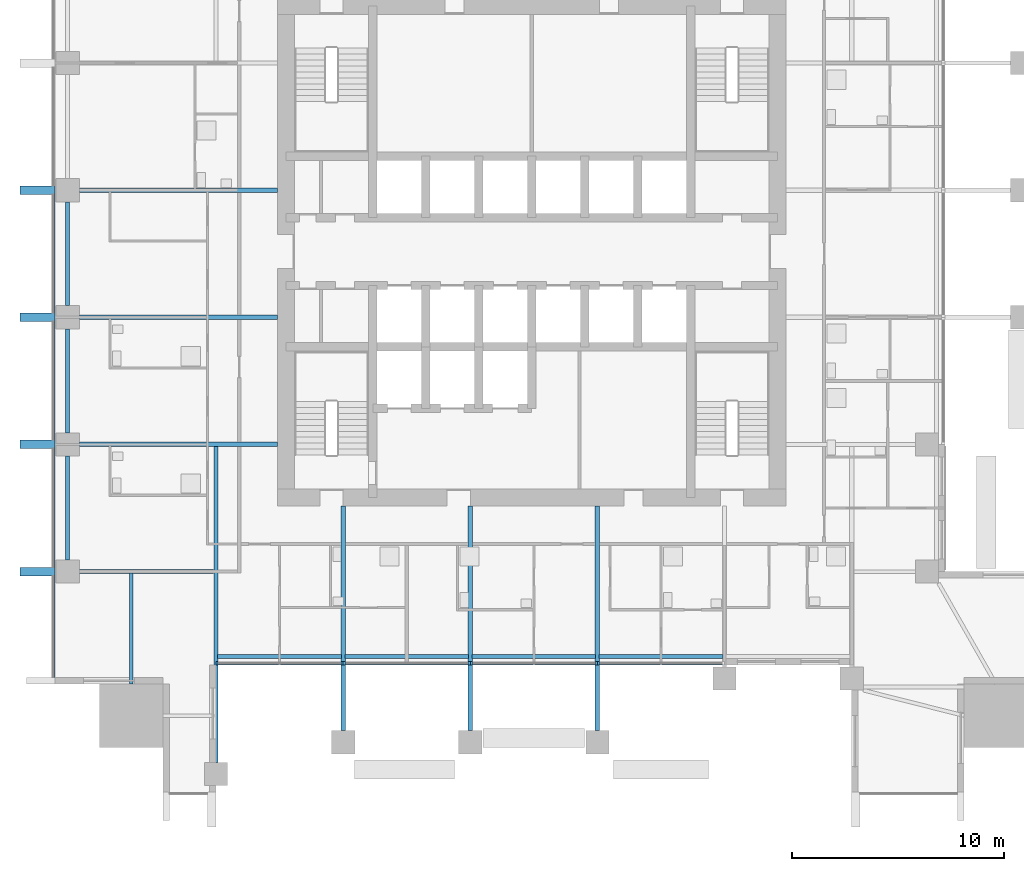
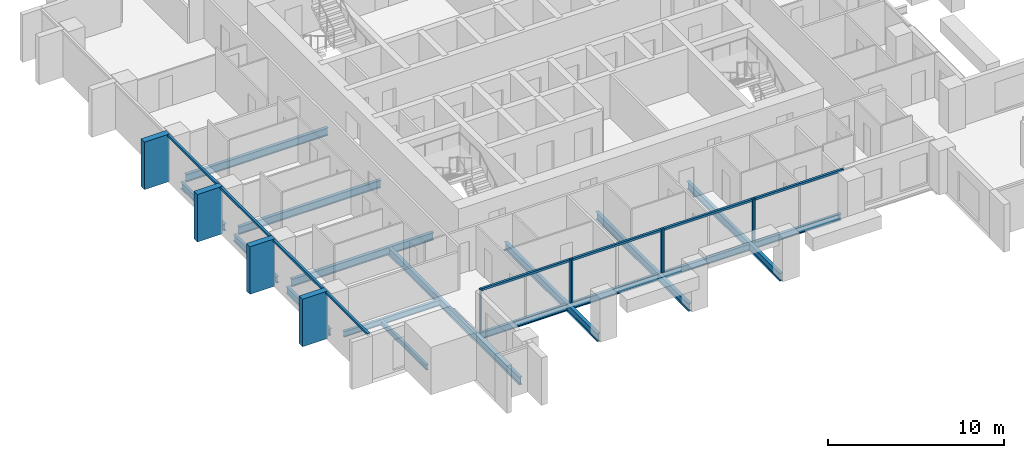
# One storey, part 2 of 13: 19 members, 16 beams, 5 elements without a shape of their own.
"""IFC4 building model written with IfcOpenShell, lengths in metres."""

from ifc_helpers import new_model, si_unit, direction, frame, origin, origin_2d, place, context, subcontext, project, spatial, rectangle, i_section, extrude, material, material_profile, profile_set, type_object, element, aggregate, save


model = new_model("IFC4")

# Units and contexts
model_context = context("Model", 3, precision=1e-05, world=origin(), true_north=direction((0.0, 1.0)))
body_context = subcontext(model_context, "Body", "Model", "MODEL_VIEW")
ifc_project = project(units=[si_unit("LENGTHUNIT", "METRE"), si_unit("AREAUNIT", "SQUARE_METRE"), si_unit("VOLUMEUNIT", "CUBIC_METRE"), si_unit("PLANEANGLEUNIT", "RADIAN"), si_unit("MASSUNIT", "GRAM", prefix="KILO")], contexts=[model_context])

# Site, building, storey
site_placement = place(None, origin())
site = spatial("IfcSite", under=ifc_project, at=site_placement, CompositionType="ELEMENT")
building_placement = place(site_placement, origin())
building = spatial("IfcBuilding", under=site, at=building_placement, Name="Amberfall Residences", CompositionType="ELEMENT")
storey_placement = place(building_placement, frame((0.0, 0.0, 111.699951171875)))
storey = spatial("IfcBuildingStorey", under=building, at=storey_placement, Name="L30", CompositionType="ELEMENT", Elevation=111.699951171875)

# Curtain wall, members
ifc_material_1 = material(Name="Bronze anodised aluminium and glass", Category="aluminium")
curtain_wall_type_1 = type_object("IfcCurtainWallType", Name="Curtain wall CW1 tower unit", PredefinedType="USERDEFINED", material=ifc_material_1)
curtain_wall_1_placement = place(storey_placement, origin())
curtain_wall_1 = element("IfcCurtainWall", 1, at=curtain_wall_1_placement, inside=storey, type_object=curtain_wall_type_1, Name="Curtain wall L30 W W1", ObjectType="UNITISED CURTAIN WALL", PredefinedType="USERDEFINED")
ifc_material_2 = material(Name="Bronze anodised aluminium", Category="aluminium")
ifc_material_profile_1 = material_profile(ifc_material_2, rectangle(XDim=0.14990234375, YDim=0.14990234375, at=origin_2d()), Name="CW1 transom 150 x 150 bronze")
ifc_profile_set_1 = profile_set([ifc_material_profile_1], Name="Bronze anodised aluminium")
member_type_1 = type_object("IfcMemberType", Name="CW1 transom 150 x 150 bronze", PredefinedType="USERDEFINED", material=ifc_profile_set_1)
member_1_placement = place(storey_placement, frame((51.925048828125, 48.199951171875, 2.97509765625), z_axis=(0.0, -1.0, 0.0), x_axis=(1.0, 0.0, 0.0)))
member_1 = element("IfcMember", 2, at=member_1_placement, type_object=member_type_1, Name="CW1 transom 4.1", ObjectType="TRANSOM", PredefinedType="USERDEFINED", context=body_context, shape_type="SweptSolid", body=[
    extrude(rectangle(XDim=0.14990234375, YDim=0.14990234375, at=origin_2d()), origin(), (0.0, 0.0, 1.0), 5.599853515625),
])
member_2_placement = place(storey_placement, frame((51.925048828125, 42.199951171875, 2.97509765625), z_axis=(0.0, -1.0, 0.0), x_axis=(1.0, 0.0, 0.0)))
member_2 = element("IfcMember", 3, at=member_2_placement, type_object=member_type_1, Name="CW1 transom 5.1", ObjectType="TRANSOM", PredefinedType="USERDEFINED", context=body_context, shape_type="SweptSolid", body=[
    extrude(rectangle(XDim=0.14990234375, YDim=0.14990234375, at=origin_2d()), origin(), (0.0, 0.0, 1.0), 5.599853515625),
])
member_3_placement = place(storey_placement, frame((51.925048828125, 36.199951171875, 2.97509765625), z_axis=(0.0, -1.0, 0.0), x_axis=(1.0, 0.0, 0.0)))
member_3 = element("IfcMember", 4, at=member_3_placement, type_object=member_type_1, Name="CW1 transom 6.1", ObjectType="TRANSOM", PredefinedType="USERDEFINED", context=body_context, shape_type="SweptSolid", body=[
    extrude(rectangle(XDim=0.14990234375, YDim=0.14990234375, at=origin_2d()), origin(), (0.0, 0.0, 1.0), 5.599853515625),
])
member_4_placement = place(storey_placement, frame((51.925048828125, 30.199951171875, 2.97509765625), z_axis=(0.0, -1.0, 0.0), x_axis=(1.0, 0.0, 0.0)))
member_4 = element("IfcMember", 5, at=member_4_placement, type_object=member_type_1, Name="CW1 transom 7.1", ObjectType="TRANSOM", PredefinedType="USERDEFINED", context=body_context, shape_type="SweptSolid", body=[
    extrude(rectangle(XDim=0.14990234375, YDim=0.14990234375, at=origin_2d()), origin(), (0.0, 0.0, 1.0), 4.800048828125),
])

curtain_wall_type_2 = type_object("IfcCurtainWallType", Name="Curtain wall CW3 sky garden glazing", PredefinedType="USERDEFINED", material=ifc_material_1)
curtain_wall_2_placement = place(storey_placement, origin())
curtain_wall_2 = element("IfcCurtainWall", 6, at=curtain_wall_2_placement, inside=storey, type_object=curtain_wall_type_2, Name="Curtain wall L30 S S3", ObjectType="UNITISED CURTAIN WALL", PredefinedType="USERDEFINED")
ifc_material_profile_2 = material_profile(ifc_material_2, rectangle(XDim=0.14990234375, YDim=0.10009765625, at=origin_2d()), Name="CW3 mullion 100 x 150 bronze")
ifc_profile_set_2 = profile_set([ifc_material_profile_2], Name="Bronze anodised aluminium")
member_type_2 = type_object("IfcMemberType", Name="CW3 mullion 100 x 150 bronze", PredefinedType="MULLION", material=ifc_profile_set_2)
member_5_placement = place(storey_placement, frame((59.64990234375, 26.074951171875, 0.0), z_axis=(0.0, 0.0, 1.0), x_axis=(0.0, 1.0, 0.0)))
member_5 = element("IfcMember", 7, at=member_5_placement, type_object=member_type_2, Name="CW3 mullion 1", PredefinedType="MULLION", context=body_context, shape_type="SweptSolid", body=[
    extrude(rectangle(XDim=0.14990234375, YDim=0.10009765625, at=origin_2d()), origin(), (0.0, 0.0, 1.0), 3.050048828125),
])
member_6_placement = place(storey_placement, frame((65.550048828125, 26.074951171875, 0.0), z_axis=(0.0, 0.0, 1.0), x_axis=(0.0, 1.0, 0.0)))
member_6 = element("IfcMember", 8, at=member_6_placement, type_object=member_type_2, Name="CW3 mullion 2", PredefinedType="MULLION", context=body_context, shape_type="SweptSolid", body=[
    extrude(rectangle(XDim=0.14990234375, YDim=0.10009765625, at=origin_2d()), origin(), (0.0, 0.0, 1.0), 3.050048828125),
])

curtain_wall_3_placement = place(storey_placement, origin())
curtain_wall_3 = element("IfcCurtainWall", 9, at=curtain_wall_3_placement, inside=storey, type_object=curtain_wall_type_2, Name="Curtain wall L30 S S4", ObjectType="UNITISED CURTAIN WALL", PredefinedType="USERDEFINED")
member_7_placement = place(storey_placement, frame((65.64990234375, 26.074951171875, 0.0), z_axis=(0.0, 0.0, 1.0), x_axis=(0.0, 1.0, 0.0)))
member_7 = element("IfcMember", 10, at=member_7_placement, type_object=member_type_2, Name="CW3 mullion 1", PredefinedType="MULLION", context=body_context, shape_type="SweptSolid", body=[
    extrude(rectangle(XDim=0.14990234375, YDim=0.10009765625, at=origin_2d()), origin(), (0.0, 0.0, 1.0), 3.050048828125),
])
member_8_placement = place(storey_placement, frame((71.550048828125, 26.074951171875, 0.0), z_axis=(0.0, 0.0, 1.0), x_axis=(0.0, 1.0, 0.0)))
member_8 = element("IfcMember", 11, at=member_8_placement, type_object=member_type_2, Name="CW3 mullion 2", PredefinedType="MULLION", context=body_context, shape_type="SweptSolid", body=[
    extrude(rectangle(XDim=0.14990234375, YDim=0.10009765625, at=origin_2d()), origin(), (0.0, 0.0, 1.0), 3.050048828125),
])

curtain_wall_4_placement = place(storey_placement, origin())
curtain_wall_4 = element("IfcCurtainWall", 12, at=curtain_wall_4_placement, inside=storey, type_object=curtain_wall_type_2, Name="Curtain wall L30 S S5", ObjectType="UNITISED CURTAIN WALL", PredefinedType="USERDEFINED")
member_9_placement = place(storey_placement, frame((71.64990234375, 26.074951171875, 0.0), z_axis=(0.0, 0.0, 1.0), x_axis=(0.0, 1.0, 0.0)))
member_9 = element("IfcMember", 13, at=member_9_placement, type_object=member_type_2, Name="CW3 mullion 1", PredefinedType="MULLION", context=body_context, shape_type="SweptSolid", body=[
    extrude(rectangle(XDim=0.14990234375, YDim=0.10009765625, at=origin_2d()), origin(), (0.0, 0.0, 1.0), 3.050048828125),
])
member_10_placement = place(storey_placement, frame((77.550048828125, 26.074951171875, 0.0), z_axis=(0.0, 0.0, 1.0), x_axis=(0.0, 1.0, 0.0)))
member_10 = element("IfcMember", 14, at=member_10_placement, type_object=member_type_2, Name="CW3 mullion 2", PredefinedType="MULLION", context=body_context, shape_type="SweptSolid", body=[
    extrude(rectangle(XDim=0.14990234375, YDim=0.10009765625, at=origin_2d()), origin(), (0.0, 0.0, 1.0), 3.050048828125),
])

# Curtain wall, member
curtain_wall_5_placement = place(storey_placement, origin())
curtain_wall_5 = element("IfcCurtainWall", 15, at=curtain_wall_5_placement, inside=storey, type_object=curtain_wall_type_2, Name="Curtain wall L30 S S6", ObjectType="UNITISED CURTAIN WALL", PredefinedType="USERDEFINED")
member_11_placement = place(storey_placement, frame((77.64990234375, 26.074951171875, 0.0), z_axis=(0.0, 0.0, 1.0), x_axis=(0.0, 1.0, 0.0)))
member_11 = element("IfcMember", 16, at=member_11_placement, type_object=member_type_2, Name="CW3 mullion 1", PredefinedType="MULLION", context=body_context, shape_type="SweptSolid", body=[
    extrude(rectangle(XDim=0.14990234375, YDim=0.10009765625, at=origin_2d()), origin(), (0.0, 0.0, 1.0), 3.050048828125),
])

# Member
ifc_material_profile_3 = material_profile(ifc_material_2, rectangle(XDim=0.14990234375, YDim=0.14990234375, at=origin_2d()), Name="CW3 transom 150 x 150 bronze")
ifc_profile_set_3 = profile_set([ifc_material_profile_3], Name="Bronze anodised aluminium")
member_type_3 = type_object("IfcMemberType", Name="CW3 transom 150 x 150 bronze", PredefinedType="USERDEFINED", material=ifc_profile_set_3)
member_12_placement = place(storey_placement, frame((59.699951171875, 26.074951171875, 2.97509765625), z_axis=(1.0, 0.0, 0.0), x_axis=(0.0, 1.0, 0.0)))
member_12 = element("IfcMember", 17, at=member_12_placement, type_object=member_type_3, Name="CW3 transom 1.1", ObjectType="TRANSOM", PredefinedType="USERDEFINED", context=body_context, shape_type="SweptSolid", body=[
    extrude(rectangle(XDim=0.14990234375, YDim=0.14990234375, at=origin_2d()), origin(), (0.0, 0.0, 1.0), 5.800048828125),
])

aggregate(curtain_wall_2, [member_5, member_6, member_12])

member_13_placement = place(storey_placement, frame((65.699951171875, 26.074951171875, 2.97509765625), z_axis=(1.0, 0.0, 0.0), x_axis=(0.0, 1.0, 0.0)))
member_13 = element("IfcMember", 18, at=member_13_placement, type_object=member_type_3, Name="CW3 transom 1.1", ObjectType="TRANSOM", PredefinedType="USERDEFINED", context=body_context, shape_type="SweptSolid", body=[
    extrude(rectangle(XDim=0.14990234375, YDim=0.14990234375, at=origin_2d()), origin(), (0.0, 0.0, 1.0), 5.800048828125),
])

aggregate(curtain_wall_3, [member_7, member_8, member_13])

member_14_placement = place(storey_placement, frame((71.699951171875, 26.074951171875, 2.97509765625), z_axis=(1.0, 0.0, 0.0), x_axis=(0.0, 1.0, 0.0)))
member_14 = element("IfcMember", 19, at=member_14_placement, type_object=member_type_3, Name="CW3 transom 1.1", ObjectType="TRANSOM", PredefinedType="USERDEFINED", context=body_context, shape_type="SweptSolid", body=[
    extrude(rectangle(XDim=0.14990234375, YDim=0.14990234375, at=origin_2d()), origin(), (0.0, 0.0, 1.0), 5.800048828125),
])

aggregate(curtain_wall_4, [member_9, member_10, member_14])

member_15_placement = place(storey_placement, frame((77.699951171875, 26.074951171875, 2.97509765625), z_axis=(1.0, 0.0, 0.0), x_axis=(0.0, 1.0, 0.0)))
member_15 = element("IfcMember", 20, at=member_15_placement, type_object=member_type_3, Name="CW3 transom 1.1", ObjectType="TRANSOM", PredefinedType="USERDEFINED", context=body_context, shape_type="SweptSolid", body=[
    extrude(rectangle(XDim=0.14990234375, YDim=0.14990234375, at=origin_2d()), origin(), (0.0, 0.0, 1.0), 5.800048828125),
])

aggregate(curtain_wall_5, [member_11, member_15])

# Beams
ifc_material_3 = material(Name="Steel S355", Category="steel")
ifc_material_profile_4 = material_profile(ifc_material_3, i_section(OverallWidth=0.18994140625, OverallDepth=0.453369140625, WebThickness=0.008544921875, FlangeThickness=0.0126953125, FilletRadius=0.01025390625, at=origin_2d()), Name="UB 457x191x67")
ifc_profile_set_4 = profile_set([ifc_material_profile_4], Name="Steel S355")
beam_type_1 = type_object("IfcBeamType", Name="Edge beam UB 457x191x67", PredefinedType="SPANDREL", material=ifc_profile_set_4)
for number, where, z_axis, x_axis, name in (
    (21, (59.679931640625, 26.39990234375, -0.4765625), (1.0, 0.0, 0.0), (0.0, 1.0, 0.0), "Edge beam B1 L30 01"),
    (22, (65.679931640625, 26.39990234375, -0.4765625), (1.0, 0.0, 0.0), (0.0, 1.0, 0.0), "Edge beam B1 L30 02"),
    (23, (71.679931640625, 26.39990234375, -0.4765625), (1.0, 0.0, 0.0), (0.0, 1.0, 0.0), "Edge beam B1 L30 03"),
    (24, (77.679931640625, 26.39990234375, -0.4765625), (1.0, 0.0, 0.0), (0.0, 1.0, 0.0), "Edge beam B1 L30 04"),
):
    element("IfcBeam", number, at=place(storey_placement, frame(where, z_axis=z_axis, x_axis=x_axis)), inside=storey, type_object=beam_type_1, Name=name, PredefinedType="SPANDREL", context=body_context, shape_type="SweptSolid", body=[
        extrude(i_section(OverallWidth=0.18994140625, OverallDepth=0.453369140625, WebThickness=0.008544921875, FlangeThickness=0.0126953125, FilletRadius=0.01025390625, at=origin_2d()), origin(), (0.0, 0.0, 1.0), 5.840087890625),
    ])
for number, where, z_axis, x_axis, name in (
    (25, (52.60009765625, 30.949951171875, -0.4765625), (0.0, 1.0, 0.0), (-1.0, 0.0, 0.0), "Edge beam B1 L30 34"),
    (26, (52.60009765625, 36.949951171875, -0.4765625), (0.0, 1.0, 0.0), (-1.0, 0.0, 0.0), "Edge beam B1 L30 35"),
    (27, (52.60009765625, 42.949951171875, -0.4765625), (0.0, 1.0, 0.0), (-1.0, 0.0, 0.0), "Edge beam B1 L30 36"),
):
    element("IfcBeam", number, at=place(storey_placement, frame(where, z_axis=z_axis, x_axis=x_axis)), inside=storey, type_object=beam_type_1, Name=name, PredefinedType="SPANDREL", context=body_context, shape_type="SweptSolid", body=[
        extrude(i_section(OverallWidth=0.18994140625, OverallDepth=0.453369140625, WebThickness=0.008544921875, FlangeThickness=0.0126953125, FilletRadius=0.01025390625, at=origin_2d()), origin(), (0.0, 0.0, 1.0), 4.900146484375),
    ])

# Member
ifc_material_profile_5 = material_profile(ifc_material_2, rectangle(XDim=1.64990234375, YDim=0.39990234375, at=origin_2d()), Name="Fin 400 x 1650 bronze")
ifc_profile_set_5 = profile_set([ifc_material_profile_5], Name="Bronze anodised aluminium")
member_type_4 = type_object("IfcMemberType", Name="Fin 400 x 1650 bronze", PredefinedType="MULLION", material=ifc_profile_set_5)
member_16_placement = place(storey_placement, frame((51.175048828125, 48.39990234375, -0.25), z_axis=(0.0, 0.0, 1.0), x_axis=(1.0, 0.0, 0.0)))
member_16 = element("IfcMember", 28, at=member_16_placement, type_object=member_type_4, Name="CW FIN 4", PredefinedType="MULLION", context=body_context, shape_type="SweptSolid", body=[
    extrude(rectangle(XDim=1.64990234375, YDim=0.39990234375, at=origin_2d()), origin(), (0.0, 0.0, 1.0), 3.300048828125),
])

member_17_placement = place(storey_placement, frame((51.175048828125, 42.39990234375, -0.25), z_axis=(0.0, 0.0, 1.0), x_axis=(1.0, 0.0, 0.0)))
member_17 = element("IfcMember", 29, at=member_17_placement, type_object=member_type_4, Name="CW FIN 5", PredefinedType="MULLION", context=body_context, shape_type="SweptSolid", body=[
    extrude(rectangle(XDim=1.64990234375, YDim=0.39990234375, at=origin_2d()), origin(), (0.0, 0.0, 1.0), 3.300048828125),
])

member_18_placement = place(storey_placement, frame((51.175048828125, 36.39990234375, -0.25), z_axis=(0.0, 0.0, 1.0), x_axis=(1.0, 0.0, 0.0)))
member_18 = element("IfcMember", 30, at=member_18_placement, type_object=member_type_4, Name="CW FIN 6", PredefinedType="MULLION", context=body_context, shape_type="SweptSolid", body=[
    extrude(rectangle(XDim=1.64990234375, YDim=0.39990234375, at=origin_2d()), origin(), (0.0, 0.0, 1.0), 3.300048828125),
])

member_19_placement = place(storey_placement, frame((51.175048828125, 30.39990234375, -0.25), z_axis=(0.0, 0.0, 1.0), x_axis=(1.0, 0.0, 0.0)))
member_19 = element("IfcMember", 31, at=member_19_placement, type_object=member_type_4, Name="CW FIN 7", PredefinedType="MULLION", context=body_context, shape_type="SweptSolid", body=[
    extrude(rectangle(XDim=1.64990234375, YDim=0.39990234375, at=origin_2d()), origin(), (0.0, 0.0, 1.0), 3.300048828125),
])

aggregate(curtain_wall_1, [member_16, member_17, member_18, member_19, member_1, member_2, member_3, member_4])

# Beams
ifc_material_profile_6 = material_profile(ifc_material_3, i_section(OverallWidth=0.177734375, OverallDepth=0.402587890625, WebThickness=0.0078125, FlangeThickness=0.010986328125, FilletRadius=0.01025390625, at=origin_2d()), Name="UB 406x178x54")
ifc_profile_set_6 = profile_set([ifc_material_profile_6], Name="Steel S355")
beam_type_2 = type_object("IfcBeamType", Name="Floor girder UB 406x178x54", PredefinedType="BEAM", material=ifc_profile_set_6)
beam_1_placement = place(storey_placement, frame((53.14990234375, 30.39990234375, -0.451171875), z_axis=(1.0, 0.0, 0.0), x_axis=(0.0, 1.0, 0.0)))
element("IfcBeam", 32, at=beam_1_placement, inside=storey, type_object=beam_type_2, Name="Floor girder B4 L30 39", PredefinedType="BEAM", context=body_context, shape_type="SweptSolid", body=[
    extrude(i_section(OverallWidth=0.177734375, OverallDepth=0.402587890625, WebThickness=0.0078125, FlangeThickness=0.010986328125, FilletRadius=0.01025390625, at=origin_2d()), origin(), (0.0, 0.0, 1.0), 6.330078125),
])
ifc_material_profile_7 = material_profile(ifc_material_3, i_section(OverallWidth=0.210693359375, OverallDepth=0.53955078125, WebThickness=0.01171875, FlangeThickness=0.018798828125, FilletRadius=0.0126953125, at=origin_2d()), Name="UB 533x210x109")
ifc_profile_set_7 = profile_set([ifc_material_profile_7], Name="Steel S355")
beam_type_3 = type_object("IfcBeamType", Name="Floor girder UB 533x210x109", PredefinedType="BEAM", material=ifc_profile_set_7)
beam_2_placement = place(storey_placement, frame((59.60009765625, 21.39990234375, -0.519775390625), z_axis=(0.0, 1.0, 0.0), x_axis=(-1.0, 0.0, 0.0)))
element("IfcBeam", 33, at=beam_2_placement, inside=storey, type_object=beam_type_3, Name="Floor girder B2 L30 06", PredefinedType="BEAM", context=body_context, shape_type="SweptSolid", body=[
    extrude(i_section(OverallWidth=0.210693359375, OverallDepth=0.53955078125, WebThickness=0.01171875, FlangeThickness=0.018798828125, FilletRadius=0.0126953125, at=origin_2d()), origin(), (0.0, 0.0, 1.0), 14.900390625),
])
ifc_material_profile_8 = material_profile(ifc_material_3, i_section(OverallWidth=0.209228515625, OverallDepth=0.533203125, WebThickness=0.010009765625, FlangeThickness=0.015625, FilletRadius=0.0126953125, at=origin_2d()), Name="UB 533x210x92")
ifc_profile_set_8 = profile_set([ifc_material_profile_8], Name="Steel S355")
beam_type_4 = type_object("IfcBeamType", Name="Floor girder UB 533x210x92", PredefinedType="BEAM", material=ifc_profile_set_8)
for number, where, z_axis, x_axis, name in (
    (34, (65.60009765625, 22.89990234375, -0.5166015625), (0.0, 1.0, 0.0), (-1.0, 0.0, 0.0), "Floor girder B3 L30 07"),
    (35, (71.60009765625, 22.89990234375, -0.5166015625), (0.0, 1.0, 0.0), (-1.0, 0.0, 0.0), "Floor girder B3 L30 08"),
    (36, (77.60009765625, 22.89990234375, -0.5166015625), (0.0, 1.0, 0.0), (-1.0, 0.0, 0.0), "Floor girder B3 L30 09"),
):
    element("IfcBeam", number, at=place(storey_placement, frame(where, z_axis=z_axis, x_axis=x_axis)), inside=storey, type_object=beam_type_4, Name=name, PredefinedType="BEAM", context=body_context, shape_type="SweptSolid", body=[
        extrude(i_section(OverallWidth=0.209228515625, OverallDepth=0.533203125, WebThickness=0.010009765625, FlangeThickness=0.015625, FilletRadius=0.0126953125, at=origin_2d()), origin(), (0.0, 0.0, 1.0), 10.60009765625),
    ])
for number, where, z_axis, x_axis, name in (
    (37, (53.14990234375, 36.39990234375, -0.5166015625), (1.0, 0.0, 0.0), (0.0, 1.0, 0.0), "Floor girder B3 L30 40"),
    (38, (53.14990234375, 42.39990234375, -0.5166015625), (1.0, 0.0, 0.0), (0.0, 1.0, 0.0), "Floor girder B3 L30 41"),
    (39, (53.14990234375, 48.39990234375, -0.5166015625), (1.0, 0.0, 0.0), (0.0, 1.0, 0.0), "Floor girder B3 L30 42"),
):
    element("IfcBeam", number, at=place(storey_placement, frame(where, z_axis=z_axis, x_axis=x_axis)), inside=storey, type_object=beam_type_4, Name=name, PredefinedType="BEAM", context=body_context, shape_type="SweptSolid", body=[
        extrude(i_section(OverallWidth=0.209228515625, OverallDepth=0.533203125, WebThickness=0.010009765625, FlangeThickness=0.015625, FilletRadius=0.0126953125, at=origin_2d()), origin(), (0.0, 0.0, 1.0), 9.35009765625),
    ])
ifc_material_profile_9 = material_profile(ifc_material_3, i_section(OverallWidth=0.171142578125, OverallDepth=0.351318359375, WebThickness=0.007080078125, FlangeThickness=0.009765625, FilletRadius=0.01025390625, at=origin_2d()), Name="UB 356x171x45")
ifc_profile_set_9 = profile_set([ifc_material_profile_9], Name="Steel S355")
beam_type_5 = type_object("IfcBeamType", Name="Link beam UB 356x171x45", PredefinedType="BEAM", material=ifc_profile_set_9)
beam_3_placement = place(storey_placement, frame((55.60009765625, 25.10009765625, -0.425537109375), z_axis=(0.0, 1.0, 0.0), x_axis=(-1.0, 0.0, 0.0)))
element("IfcBeam", 40, at=beam_3_placement, inside=storey, type_object=beam_type_5, Name="Link beam B7 L30 47", PredefinedType="BEAM", context=body_context, shape_type="SweptSolid", body=[
    extrude(i_section(OverallWidth=0.171142578125, OverallDepth=0.351318359375, WebThickness=0.007080078125, FlangeThickness=0.009765625, FilletRadius=0.01025390625, at=origin_2d()), origin(), (0.0, 0.0, 1.0), 5.22119140625),
])

save(model, "model.ifc")
